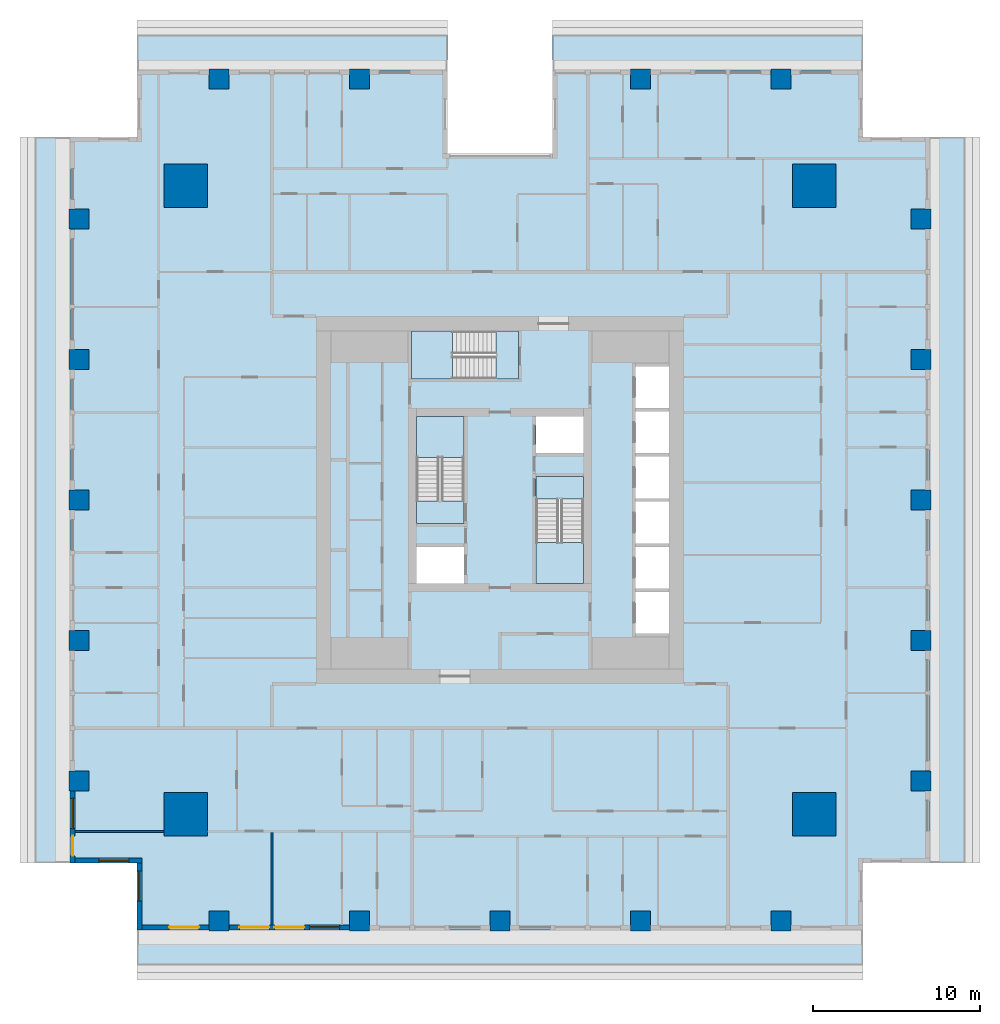
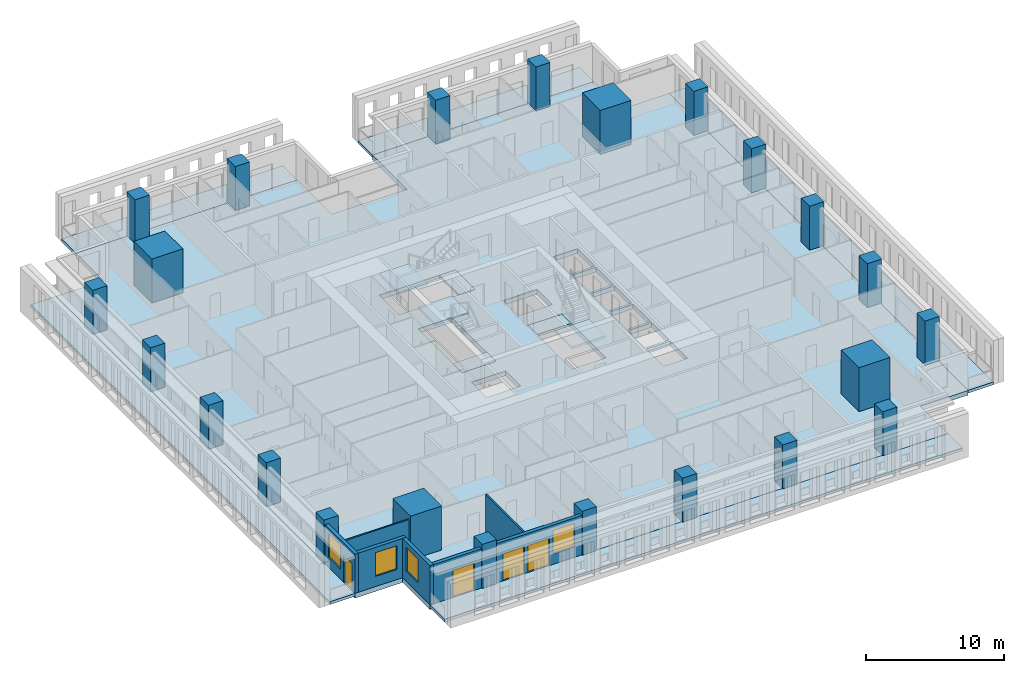
# One storey, part 1 of 16: 23 columns, 12 slabs, 7 walls, 4 doors, 4 windows, 8 openings, 3 elements without a shape of their own.
"""IFC4 building model written with IfcOpenShell, lengths in metres."""

from ifc_helpers import new_model, si_unit, direction, frame, frame_2d, origin, origin_2d, place, context, subcontext, project, spatial, polyline, rectangle, outline, extrude, material, layer, layer_set, material_profile, profile_set, type_object, element, fill, aggregate, save


model = new_model("IFC4")

# Units and contexts
model_context = context("Model", 3, precision=1e-05, world=origin(), true_north=direction((0.0, 1.0)))
body_context = subcontext(model_context, "Body", "Model", "MODEL_VIEW")
ifc_project = project(units=[si_unit("LENGTHUNIT", "METRE"), si_unit("AREAUNIT", "SQUARE_METRE"), si_unit("VOLUMEUNIT", "CUBIC_METRE"), si_unit("PLANEANGLEUNIT", "RADIAN"), si_unit("MASSUNIT", "GRAM", prefix="KILO")], contexts=[model_context])

# Site, building, storey
site_placement = place(None, origin())
site = spatial("IfcSite", under=ifc_project, at=site_placement, CompositionType="ELEMENT")
building_placement = place(site_placement, origin())
building = spatial("IfcBuilding", under=site, at=building_placement, Name="Khepri Terraces", CompositionType="ELEMENT")
storey_placement = place(building_placement, frame((0.0, 0.0, 137.699951171875)))
storey = spatial("IfcBuildingStorey", under=building, at=storey_placement, Name="L32", CompositionType="ELEMENT", Elevation=137.699951171875)

# Columns
ifc_material_1 = material(Name="Concrete C60/75", Category="concrete")
ifc_material_profile_1 = material_profile(ifc_material_1, rectangle(XDim=2.60009765625, YDim=2.60009765625, at=origin_2d()), Name="Concrete C60/75", Category="concrete")
ifc_profile_set_1 = profile_set([ifc_material_profile_1], Name="Concrete C60/75")
column_type_1 = type_object("IfcColumnType", Name="Mega column RC 2600x2600 C60/75", PredefinedType="COLUMN", material=ifc_profile_set_1)
for number, where, z_axis, x_axis, name in (
    (1, (18.800048828125, 18.800048828125, 0.0), (0.0, 0.0, 1.0), (1.0, 0.0, 0.0), "Mega column MEN L32"),
    (2, (18.800048828125, -18.800048828125, 0.0), (0.0, 0.0, 1.0), (1.0, 0.0, 0.0), "Mega column MES L32"),
    (3, (-18.800048828125, 18.800048828125, 0.0), (0.0, 0.0, 1.0), (1.0, 0.0, 0.0), "Mega column MWN L32"),
    (4, (-18.800048828125, -18.800048828125, 0.0), (0.0, 0.0, 1.0), (1.0, 0.0, 0.0), "Mega column MWS L32"),
):
    element("IfcColumn", number, at=place(storey_placement, frame(where, z_axis=z_axis, x_axis=x_axis)), inside=storey, type_object=column_type_1, Name=name, PredefinedType="COLUMN", context=body_context, shape_type="SweptSolid", body=[
        extrude(rectangle(XDim=2.60009765625, YDim=2.60009765625, at=origin_2d()), origin(), (0.0, 0.0, 1.0), 3.900146484375),
    ])
ifc_material_profile_2 = material_profile(ifc_material_1, rectangle(XDim=1.199951171875, YDim=1.199951171875, at=origin_2d()), Name="Concrete C60/75", Category="concrete")
ifc_profile_set_2 = profile_set([ifc_material_profile_2], Name="Concrete C60/75")
column_type_2 = type_object("IfcColumnType", Name="Tower column RC 1200x1200 C60/75", PredefinedType="COLUMN", material=ifc_profile_set_2)
for number, where, z_axis, x_axis, name in (
    (5, (25.199951171875, 0.0, 0.0), (0.0, 0.0, 1.0), (1.0, 0.0, 0.0), "Perimeter column PE+000a L32"),
    (6, (25.199951171875, 8.39990234375, 0.0), (0.0, 0.0, 1.0), (1.0, 0.0, 0.0), "Perimeter column PE+084a L32"),
    (7, (25.199951171875, 16.800048828125, 0.0), (0.0, 0.0, 1.0), (1.0, 0.0, 0.0), "Perimeter column PE+168a L32"),
    (8, (25.199951171875, -8.39990234375, 0.0), (0.0, 0.0, 1.0), (1.0, 0.0, 0.0), "Perimeter column PE-084a L32"),
    (9, (25.199951171875, -16.800048828125, 0.0), (0.0, 0.0, 1.0), (1.0, 0.0, 0.0), "Perimeter column PE-168a L32"),
    (10, (-8.39990234375, 25.199951171875, 0.0), (0.0, 0.0, 1.0), (1.0, 0.0, 0.0), "Perimeter column PN+084a L32"),
    (11, (-16.800048828125, 25.199951171875, 0.0), (0.0, 0.0, 1.0), (1.0, 0.0, 0.0), "Perimeter column PN+168a L32"),
    (12, (8.39990234375, 25.199951171875, 0.0), (0.0, 0.0, 1.0), (1.0, 0.0, 0.0), "Perimeter column PN-084a L32"),
    (13, (16.800048828125, 25.199951171875, 0.0), (0.0, 0.0, 1.0), (1.0, 0.0, 0.0), "Perimeter column PN-168a L32"),
    (14, (0.0, -25.199951171875, 0.0), (0.0, 0.0, 1.0), (1.0, 0.0, 0.0), "Perimeter column PS+000b L32"),
    (15, (8.39990234375, -25.199951171875, 0.0), (0.0, 0.0, 1.0), (1.0, 0.0, 0.0), "Perimeter column PS+084b L32"),
    (16, (16.800048828125, -25.199951171875, 0.0), (0.0, 0.0, 1.0), (1.0, 0.0, 0.0), "Perimeter column PS+168a L32"),
    (17, (-8.39990234375, -25.199951171875, 0.0), (0.0, 0.0, 1.0), (1.0, 0.0, 0.0), "Perimeter column PS-084b L32"),
    (18, (-16.800048828125, -25.199951171875, 0.0), (0.0, 0.0, 1.0), (1.0, 0.0, 0.0), "Perimeter column PS-168a L32"),
    (19, (-25.199951171875, 0.0, 0.0), (0.0, 0.0, 1.0), (1.0, 0.0, 0.0), "Perimeter column PW+000b L32"),
    (20, (-25.199951171875, -8.39990234375, 0.0), (0.0, 0.0, 1.0), (1.0, 0.0, 0.0), "Perimeter column PW+084b L32"),
    (21, (-25.199951171875, -16.800048828125, 0.0), (0.0, 0.0, 1.0), (1.0, 0.0, 0.0), "Perimeter column PW+168a L32"),
    (22, (-25.199951171875, 8.39990234375, 0.0), (0.0, 0.0, 1.0), (1.0, 0.0, 0.0), "Perimeter column PW-084b L32"),
    (23, (-25.199951171875, 16.800048828125, 0.0), (0.0, 0.0, 1.0), (1.0, 0.0, 0.0), "Perimeter column PW-168a L32"),
):
    element("IfcColumn", number, at=place(storey_placement, frame(where, z_axis=z_axis, x_axis=x_axis)), inside=storey, type_object=column_type_2, Name=name, PredefinedType="COLUMN", context=body_context, shape_type="SweptSolid", body=[
        extrude(rectangle(XDim=1.199951171875, YDim=1.199951171875, at=origin_2d()), origin(), (0.0, 0.0, 1.0), 3.900146484375),
    ])

# Slabs
ifc_material_2 = material(Name="Concrete C40/50", Category="concrete")
ifc_layer_1 = layer(ifc_material_2, 0.419921875, Name="Concrete C40/50", Category="concrete")
ifc_layer_set_1 = layer_set([ifc_layer_1], Name="Concrete C40/50")
slab_type_1 = type_object("IfcSlabType", Name="Flat plate 420", PredefinedType="FLOOR", material=ifc_layer_set_1)
slab_1_placement = place(storey_placement, frame((0.0, 0.0, -0.419921875)))
element("IfcSlab", 24, at=slab_1_placement, inside=storey, type_object=slab_type_1, Name="Floor slab F01 L32", PredefinedType="FLOOR", context=body_context, shape_type="SweptSolid", body=[
    extrude(outline(polyline([(3.14990234375, 25.719970703125), (21.719970703125, 25.719970703125), (21.719970703125, 21.719970703125), (25.719970703125, 21.719970703125), (25.719970703125, -21.719970703125), (21.719970703125, -21.719970703125), (21.719970703125, -25.719970703125), (-21.719970703125, -25.719970703125), (-21.719970703125, -21.719970703125), (-25.719970703125, -21.719970703125), (-25.719970703125, 21.719970703125), (-21.719970703125, 21.719970703125), (-21.719970703125, 25.719970703125), (-3.14990234375, 25.719970703125), (-3.14990234375, 20.719970703125), (3.14990234375, 20.719970703125), (3.14990234375, 25.719970703125)]), holes=[polyline([(2.14990234375, 2.800048828125), (5.0, 2.800048828125), (5.0, 5.0), (2.14990234375, 5.0), (2.14990234375, 2.800048828125)]), polyline([(-5.0, -2.800048828125), (-5.0, -5.0), (-2.14990234375, -5.0), (-2.14990234375, -2.800048828125), (-5.0, -2.800048828125)]), polyline([(10.10009765625, -5.5), (8.10009765625, -5.5), (8.10009765625, -8.0), (10.10009765625, -8.0), (10.10009765625, -5.5)]), polyline([(10.10009765625, -5.300048828125), (10.10009765625, -2.800048828125), (8.10009765625, -2.800048828125), (8.10009765625, -5.300048828125), (10.10009765625, -5.300048828125)]), polyline([(8.10009765625, -2.60009765625), (10.10009765625, -2.60009765625), (10.10009765625, -0.10009765625), (8.10009765625, -0.10009765625), (8.10009765625, -2.60009765625)]), polyline([(8.10009765625, 2.60009765625), (8.10009765625, 0.10009765625), (10.10009765625, 0.10009765625), (10.10009765625, 2.60009765625), (8.10009765625, 2.60009765625)]), polyline([(10.10009765625, 5.300048828125), (8.10009765625, 5.300048828125), (8.10009765625, 2.800048828125), (10.10009765625, 2.800048828125), (10.10009765625, 5.300048828125)]), polyline([(10.10009765625, 5.5), (10.10009765625, 8.0), (8.10009765625, 8.0), (8.10009765625, 5.5), (10.10009765625, 5.5)]), polyline([(-5.0, -1.39990234375), (-2.14990234375, -1.39990234375), (-2.14990234375, 5.0), (-5.0, 5.0), (-5.0, -1.39990234375)]), polyline([(5.0, -5.0), (5.0, 1.39990234375), (2.14990234375, 1.39990234375), (2.14990234375, -5.0), (5.0, -5.0)]), polyline([(-5.300048828125, 10.10009765625), (-5.300048828125, 7.25), (1.10009765625, 7.25), (1.10009765625, 10.10009765625), (-5.300048828125, 10.10009765625)])]), origin(), (0.0, 0.0, 1.0), 0.419921875),
])
ifc_material_3 = material(Name="Precast concrete C50/60 warm stone", Category="masonry")
ifc_layer_2 = layer(ifc_material_3, 0.25, Name="Precast concrete C50/60 warm stone", Category="masonry")
ifc_layer_set_2 = layer_set([ifc_layer_2], Name="Precast concrete C50/60 warm stone")
slab_type_2 = type_object("IfcSlabType", Name="SLB-BALCONY-250", PredefinedType="FLOOR", material=ifc_layer_set_2)
slab_2_placement = place(storey_placement, frame((0.0, 0.0, -0.25)))
element("IfcSlab", 25, at=slab_2_placement, inside=storey, type_object=slab_type_2, Name="Balcony slab L32 S", PredefinedType="FLOOR", context=body_context, shape_type="SweptSolid", body=[
    extrude(outline(polyline([(-17.39990234375, -25.719970703125), (-21.719970703125, -25.719970703125), (-21.719970703125, -27.820068359375), (21.719970703125, -27.820068359375), (21.719970703125, -25.719970703125), (17.39990234375, -25.719970703125), (17.39990234375, -25.800048828125), (16.199951171875, -25.800048828125), (16.199951171875, -25.719970703125), (9.0, -25.719970703125), (9.0, -25.800048828125), (7.800048828125, -25.800048828125), (7.800048828125, -25.719970703125), (0.60009765625, -25.719970703125), (0.60009765625, -25.800048828125), (-0.60009765625, -25.800048828125), (-0.60009765625, -25.719970703125), (-7.800048828125, -25.719970703125), (-7.800048828125, -25.800048828125), (-9.0, -25.800048828125), (-9.0, -25.719970703125), (-16.199951171875, -25.719970703125), (-16.199951171875, -25.800048828125), (-17.39990234375, -25.800048828125), (-17.39990234375, -25.719970703125)])), origin(), (0.0, 0.0, 1.0), 0.25),
])
slab_3_placement = place(storey_placement, frame((0.0, 0.0, -0.25)))
element("IfcSlab", 26, at=slab_3_placement, inside=storey, type_object=slab_type_2, Name="Balcony slab L32 E", PredefinedType="FLOOR", context=body_context, shape_type="SweptSolid", body=[
    extrude(outline(polyline([(25.719970703125, -17.39990234375), (25.719970703125, -21.719970703125), (27.820068359375, -21.719970703125), (27.820068359375, 21.719970703125), (25.719970703125, 21.719970703125), (25.719970703125, 17.39990234375), (25.800048828125, 17.39990234375), (25.800048828125, 16.199951171875), (25.719970703125, 16.199951171875), (25.719970703125, 9.0), (25.800048828125, 9.0), (25.800048828125, 7.800048828125), (25.719970703125, 7.800048828125), (25.719970703125, 0.60009765625), (25.800048828125, 0.60009765625), (25.800048828125, -0.60009765625), (25.719970703125, -0.60009765625), (25.719970703125, -7.800048828125), (25.800048828125, -7.800048828125), (25.800048828125, -9.0), (25.719970703125, -9.0), (25.719970703125, -16.199951171875), (25.800048828125, -16.199951171875), (25.800048828125, -17.39990234375), (25.719970703125, -17.39990234375)])), origin(), (0.0, 0.0, 1.0), 0.25),
])
slab_4_placement = place(storey_placement, frame((0.0, 0.0, -0.25)))
element("IfcSlab", 27, at=slab_4_placement, inside=storey, type_object=slab_type_2, Name="Balcony slab L32 N", PredefinedType="FLOOR", context=body_context, shape_type="SweptSolid", body=[
    extrude(outline(polyline([(17.39990234375, 25.719970703125), (21.719970703125, 25.719970703125), (21.719970703125, 27.820068359375), (3.14990234375, 27.820068359375), (3.14990234375, 25.719970703125), (7.800048828125, 25.719970703125), (7.800048828125, 25.800048828125), (9.0, 25.800048828125), (9.0, 25.719970703125), (16.199951171875, 25.719970703125), (16.199951171875, 25.800048828125), (17.39990234375, 25.800048828125), (17.39990234375, 25.719970703125)])), origin(), (0.0, 0.0, 1.0), 0.25),
])
slab_5_placement = place(storey_placement, frame((0.0, 0.0, -0.25)))
element("IfcSlab", 28, at=slab_5_placement, inside=storey, type_object=slab_type_2, Name="Balcony slab L32 N", PredefinedType="FLOOR", context=body_context, shape_type="SweptSolid", body=[
    extrude(outline(polyline([(-7.800048828125, 25.719970703125), (-3.14990234375, 25.719970703125), (-3.14990234375, 27.820068359375), (-21.719970703125, 27.820068359375), (-21.719970703125, 25.719970703125), (-17.39990234375, 25.719970703125), (-17.39990234375, 25.800048828125), (-16.199951171875, 25.800048828125), (-16.199951171875, 25.719970703125), (-9.0, 25.719970703125), (-9.0, 25.800048828125), (-7.800048828125, 25.800048828125), (-7.800048828125, 25.719970703125)])), origin(), (0.0, 0.0, 1.0), 0.25),
])
slab_6_placement = place(storey_placement, frame((0.0, 0.0, -0.25)))
element("IfcSlab", 29, at=slab_6_placement, inside=storey, type_object=slab_type_2, Name="Balcony slab L32 W", PredefinedType="FLOOR", context=body_context, shape_type="SweptSolid", body=[
    extrude(outline(polyline([(-25.719970703125, 17.39990234375), (-25.719970703125, 21.719970703125), (-27.820068359375, 21.719970703125), (-27.820068359375, -21.719970703125), (-25.719970703125, -21.719970703125), (-25.719970703125, -17.39990234375), (-25.800048828125, -17.39990234375), (-25.800048828125, -16.199951171875), (-25.719970703125, -16.199951171875), (-25.719970703125, -9.0), (-25.800048828125, -9.0), (-25.800048828125, -7.800048828125), (-25.719970703125, -7.800048828125), (-25.719970703125, -0.60009765625), (-25.800048828125, -0.60009765625), (-25.800048828125, 0.60009765625), (-25.719970703125, 0.60009765625), (-25.719970703125, 7.800048828125), (-25.800048828125, 7.800048828125), (-25.800048828125, 9.0), (-25.719970703125, 9.0), (-25.719970703125, 16.199951171875), (-25.800048828125, 16.199951171875), (-25.800048828125, 17.39990234375), (-25.719970703125, 17.39990234375)])), origin(), (0.0, 0.0, 1.0), 0.25),
])

# Stair, slabs
stair_type = type_object("IfcStairType", Name="STAIR-RC-22R", PredefinedType="HALF_TURN_STAIR", material=ifc_material_2)
stair_1_placement = place(storey_placement, origin())
stair_1 = element("IfcStair", 30, at=stair_1_placement, inside=storey, type_object=stair_type, Name="L32 Exit Stair ST-1", PredefinedType="HALF_TURN_STAIR")
ifc_layer_3 = layer(ifc_material_2, 0.199951171875, Name="Concrete C40/50", Category="concrete")
ifc_layer_set_3 = layer_set([ifc_layer_3], Name="Concrete C40/50")
slab_type_3 = type_object("IfcSlabType", Name="SLB-CORE-LANDING", PredefinedType="LANDING", material=ifc_layer_set_3)
slab_7_placement = place(storey_placement, frame((0.0, 0.0, -0.199951171875)))
slab_7 = element("IfcSlab", 31, at=slab_7_placement, type_object=slab_type_3, Name="ST-1 landing 1", PredefinedType="LANDING", context=body_context, shape_type="SweptSolid", body=[
    extrude(outline(polyline([(-2.14990234375, -1.39990234375), (-2.14990234375, -0.050048828125), (-5.0, -0.050048828125), (-5.0, -1.39990234375), (-2.14990234375, -1.39990234375)])), origin(), (0.0, 0.0, 1.0), 0.199951171875),
])
slab_8_placement = place(storey_placement, frame((0.0, 0.0, 1.75)))
slab_8 = element("IfcSlab", 32, at=slab_8_placement, type_object=slab_type_3, Name="ST-1 landing 2", PredefinedType="LANDING", context=body_context, shape_type="SweptSolid", body=[
    extrude(outline(polyline([(-2.14990234375, 2.550048828125), (-2.14990234375, 5.0), (-5.0, 5.0), (-5.0, 2.550048828125), (-2.14990234375, 2.550048828125)])), origin(), (0.0, 0.0, 1.0), 0.199951171875),
])
aggregate(stair_1, [slab_7, slab_8])

stair_2_placement = place(storey_placement, origin())
stair_2 = element("IfcStair", 33, at=stair_2_placement, inside=storey, type_object=stair_type, Name="L32 Exit Stair ST-2", PredefinedType="HALF_TURN_STAIR")
slab_9_placement = place(storey_placement, frame((0.0, 0.0, -0.199951171875)))
slab_9 = element("IfcSlab", 34, at=slab_9_placement, type_object=slab_type_3, Name="ST-2 landing 1", PredefinedType="LANDING", context=body_context, shape_type="SweptSolid", body=[
    extrude(outline(polyline([(2.14990234375, 1.39990234375), (2.14990234375, 0.050048828125), (5.0, 0.050048828125), (5.0, 1.39990234375), (2.14990234375, 1.39990234375)])), origin(), (0.0, 0.0, 1.0), 0.199951171875),
])
slab_10_placement = place(storey_placement, frame((0.0, 0.0, 1.75)))
slab_10 = element("IfcSlab", 35, at=slab_10_placement, type_object=slab_type_3, Name="ST-2 landing 2", PredefinedType="LANDING", context=body_context, shape_type="SweptSolid", body=[
    extrude(outline(polyline([(2.14990234375, -2.550048828125), (2.14990234375, -5.0), (5.0, -5.0), (5.0, -2.550048828125), (2.14990234375, -2.550048828125)])), origin(), (0.0, 0.0, 1.0), 0.199951171875),
])
aggregate(stair_2, [slab_9, slab_10])

stair_3_placement = place(storey_placement, origin())
stair_3 = element("IfcStair", 36, at=stair_3_placement, inside=storey, type_object=stair_type, Name="L32 Exit Stair ST-3", PredefinedType="HALF_TURN_STAIR")
slab_11_placement = place(storey_placement, frame((0.0, 0.0, -0.199951171875)))
slab_11 = element("IfcSlab", 37, at=slab_11_placement, type_object=slab_type_3, Name="ST-3 landing 1", PredefinedType="LANDING", context=body_context, shape_type="SweptSolid", body=[
    extrude(outline(polyline([(1.10009765625, 10.10009765625), (-0.25, 10.10009765625), (-0.25, 7.25), (1.10009765625, 7.25), (1.10009765625, 10.10009765625)])), origin(), (0.0, 0.0, 1.0), 0.199951171875),
])
slab_12_placement = place(storey_placement, frame((0.0, 0.0, 1.75)))
slab_12 = element("IfcSlab", 38, at=slab_12_placement, type_object=slab_type_3, Name="ST-3 landing 2", PredefinedType="LANDING", context=body_context, shape_type="SweptSolid", body=[
    extrude(outline(polyline([(-2.85009765625, 10.10009765625), (-5.300048828125, 10.10009765625), (-5.300048828125, 7.25), (-2.85009765625, 7.25), (-2.85009765625, 10.10009765625)])), origin(), (0.0, 0.0, 1.0), 0.199951171875),
])
aggregate(stair_3, [slab_11, slab_12])

# Wall, openings, door, window
ifc_layer_4 = layer(ifc_material_3, 0.300048828125, Name="Precast concrete C50/60 warm stone", Category="masonry")
ifc_layer_set_4 = layer_set([ifc_layer_4], Name="Precast concrete C50/60 warm stone")
wall_type_1 = type_object("IfcWallType", Name="WL-EXT-PRECAST-300", PredefinedType="STANDARD", material=ifc_layer_set_4)
wall_1_placement = place(storey_placement, frame((-25.570068359375, -17.39990234375, 0.0), z_axis=(0.0, 0.0, 1.0), x_axis=(0.0, -1.0, 0.0)))
wall_1 = element("IfcWall", 39, at=wall_1_placement, inside=storey, type_object=wall_type_1, Name="External wall L32 W", PredefinedType="STANDARD", context=body_context, shape_type="SweptSolid", body=[
    extrude(rectangle(XDim=4.320068359375, YDim=0.300048828125, at=frame_2d((2.16015625, 0.0))), origin(), (0.0, 0.0, 1.0), 3.47998046875),
])
opening_1_placement = place(wall_1_placement, frame((2.695068359375, 0.0, 0.0)))
opening_1 = element("IfcOpeningElement", 40, at=opening_1_placement, cuts=wall_1, Name="Opening ED-L32-17", PredefinedType="OPENING", context=body_context, shape_type="SweptSolid", body=[
    extrude(rectangle(XDim=1.199951171875, YDim=2.39990234375, at=frame_2d((0.60009765625, 1.199951171875))), frame((0.0, 0.16015625, 0.0), z_axis=(0.0, -1.0, 0.0), x_axis=(1.0, 0.0, 0.0)), (0.0, 0.0, 1.0), 0.320068359375),
])
opening_2_placement = place(wall_1_placement, frame((0.4599609375, 0.0, 0.89990234375)))
opening_2 = element("IfcOpeningElement", 41, at=opening_2_placement, cuts=wall_1, Name="Opening W1", PredefinedType="OPENING", context=body_context, shape_type="SweptSolid", body=[
    extrude(rectangle(XDim=1.800048828125, YDim=2.10009765625, at=frame_2d((0.89990234375, 1.050048828125))), frame((0.0, 0.16015625, 0.0), z_axis=(0.0, -1.0, 0.0), x_axis=(1.0, 0.0, 0.0)), (0.0, 0.0, 1.0), 0.320068359375),
])
ifc_material_4 = material(Name="Anodised aluminium bronze glazed door", Category="aluminium")
door_type_1 = type_object("IfcDoorType", Name="DR-BAL-SLIDE-1200x2400", OperationType="NOTDEFINED", PredefinedType="DOOR", material=ifc_material_4)
door_1_placement = place(opening_1_placement, origin())
door_1 = element("IfcDoor", 42, at=door_1_placement, inside=storey, type_object=door_type_1, Name="Balcony door L32 W", OperationType="SLIDING_TO_LEFT", OverallHeight=2.39990234375, OverallWidth=1.199951171875, PredefinedType="DOOR", context=body_context, shape_type="SweptSolid", body=[
    extrude(rectangle(XDim=1.199951171875, YDim=2.39990234375, at=frame_2d((0.60009765625, 1.199951171875))), frame((0.0, 0.02490234375, 0.0), z_axis=(0.0, -1.0, 0.0), x_axis=(1.0, 0.0, 0.0)), (0.0, 0.0, 1.0), 0.050048828125),
])
fill(opening_1, door_1)
ifc_material_5 = material(Name="Clear glass", Category="glass")
window_type = type_object("IfcWindowType", Name="WIN-RES-1800x2100", PartitioningType="SINGLE_PANEL", PredefinedType="WINDOW", material=ifc_material_5)
window_1_placement = place(opening_2_placement, origin())
window_1 = element("IfcWindow", 43, at=window_1_placement, inside=storey, type_object=window_type, Name="Window L32 W", OverallHeight=2.10009765625, OverallWidth=1.800048828125, PartitioningType="SINGLE_PANEL", PredefinedType="WINDOW", context=body_context, shape_type="SweptSolid", body=[
    extrude(rectangle(XDim=1.800048828125, YDim=2.10009765625, at=frame_2d((0.89990234375, 1.050048828125))), frame((0.0, 0.030029296875, 0.0), z_axis=(0.0, -1.0, 0.0), x_axis=(1.0, 0.0, 0.0)), (0.0, 0.0, 1.0), 0.06005859375),
])
fill(opening_2, window_1)

# Wall, opening, window
wall_2_placement = place(storey_placement, frame((-25.419921875, -21.570068359375, 0.0), z_axis=(0.0, 0.0, 1.0), x_axis=(1.0, 0.0, 0.0)))
wall_2 = element("IfcWall", 44, at=wall_2_placement, inside=storey, type_object=wall_type_1, Name="External wall L32 S", PredefinedType="STANDARD", context=body_context, shape_type="SweptSolid", body=[
    extrude(rectangle(XDim=4.0, YDim=0.300048828125, at=frame_2d((2.0, 0.0))), origin(), (0.0, 0.0, 1.0), 3.47998046875),
])
opening_3_placement = place(wall_2_placement, frame((1.419921875, 0.0, 0.89990234375)))
opening_3 = element("IfcOpeningElement", 45, at=opening_3_placement, cuts=wall_2, Name="Opening W1", PredefinedType="OPENING", context=body_context, shape_type="SweptSolid", body=[
    extrude(rectangle(XDim=1.800048828125, YDim=2.10009765625, at=frame_2d((0.89990234375, 1.050048828125))), frame((0.0, 0.16015625, 0.0), z_axis=(0.0, -1.0, 0.0), x_axis=(1.0, 0.0, 0.0)), (0.0, 0.0, 1.0), 0.320068359375),
])
window_2_placement = place(opening_3_placement, origin())
window_2 = element("IfcWindow", 46, at=window_2_placement, inside=storey, type_object=window_type, Name="Window L32 S", OverallHeight=2.10009765625, OverallWidth=1.800048828125, PartitioningType="SINGLE_PANEL", PredefinedType="WINDOW", context=body_context, shape_type="SweptSolid", body=[
    extrude(rectangle(XDim=1.800048828125, YDim=2.10009765625, at=frame_2d((0.89990234375, 1.050048828125))), frame((0.0, 0.030029296875, 0.0), z_axis=(0.0, -1.0, 0.0), x_axis=(1.0, 0.0, 0.0)), (0.0, 0.0, 1.0), 0.06005859375),
])
fill(opening_3, window_2)

wall_3_placement = place(storey_placement, frame((-21.570068359375, -21.719970703125, 0.0), z_axis=(0.0, 0.0, 1.0), x_axis=(0.0, -1.0, 0.0)))
wall_3 = element("IfcWall", 47, at=wall_3_placement, inside=storey, type_object=wall_type_1, Name="External wall L32 W", PredefinedType="STANDARD", context=body_context, shape_type="SweptSolid", body=[
    extrude(rectangle(XDim=4.0, YDim=0.300048828125, at=frame_2d((2.0, 0.0))), origin(), (0.0, 0.0, 1.0), 3.47998046875),
])
opening_4_placement = place(wall_3_placement, frame((0.47998046875, 0.0, 0.89990234375)))
opening_4 = element("IfcOpeningElement", 48, at=opening_4_placement, cuts=wall_3, Name="Opening W1", PredefinedType="OPENING", context=body_context, shape_type="SweptSolid", body=[
    extrude(rectangle(XDim=1.800048828125, YDim=2.10009765625, at=frame_2d((0.89990234375, 1.050048828125))), frame((0.0, 0.16015625, 0.0), z_axis=(0.0, -1.0, 0.0), x_axis=(1.0, 0.0, 0.0)), (0.0, 0.0, 1.0), 0.320068359375),
])
window_3_placement = place(opening_4_placement, origin())
window_3 = element("IfcWindow", 49, at=window_3_placement, inside=storey, type_object=window_type, Name="Window L32 W", OverallHeight=2.10009765625, OverallWidth=1.800048828125, PartitioningType="SINGLE_PANEL", PredefinedType="WINDOW", context=body_context, shape_type="SweptSolid", body=[
    extrude(rectangle(XDim=1.800048828125, YDim=2.10009765625, at=frame_2d((0.89990234375, 1.050048828125))), frame((0.0, 0.030029296875, 0.0), z_axis=(0.0, -1.0, 0.0), x_axis=(1.0, 0.0, 0.0)), (0.0, 0.0, 1.0), 0.06005859375),
])
fill(opening_4, window_3)

# Wall, opening, door
wall_4_placement = place(storey_placement, frame((-21.419921875, -25.570068359375, 0.0), z_axis=(0.0, 0.0, 1.0), x_axis=(1.0, 0.0, 0.0)))
wall_4 = element("IfcWall", 50, at=wall_4_placement, inside=storey, type_object=wall_type_1, Name="External wall L32 S", PredefinedType="STANDARD", context=body_context, shape_type="SweptSolid", body=[
    extrude(rectangle(XDim=4.02001953125, YDim=0.300048828125, at=frame_2d((2.010009765625, 0.0))), origin(), (0.0, 0.0, 1.0), 3.47998046875),
])
opening_5_placement = place(wall_4_placement, frame((1.6201171875, 0.0, 0.0)))
opening_5 = element("IfcOpeningElement", 51, at=opening_5_placement, cuts=wall_4, Name="Opening ED-L32-18", PredefinedType="OPENING", context=body_context, shape_type="SweptSolid", body=[
    extrude(rectangle(XDim=1.800048828125, YDim=2.39990234375, at=frame_2d((0.89990234375, 1.199951171875))), frame((0.0, 0.16015625, 0.0), z_axis=(0.0, -1.0, 0.0), x_axis=(1.0, 0.0, 0.0)), (0.0, 0.0, 1.0), 0.320068359375),
])
door_type_2 = type_object("IfcDoorType", Name="DR-BAL-SLIDE-1800x2400", OperationType="NOTDEFINED", PredefinedType="DOOR", material=ifc_material_4)
door_2_placement = place(opening_5_placement, origin())
door_2 = element("IfcDoor", 52, at=door_2_placement, inside=storey, type_object=door_type_2, Name="Balcony door L32 S", OperationType="SLIDING_TO_RIGHT", OverallHeight=2.39990234375, OverallWidth=1.800048828125, PredefinedType="DOOR", context=body_context, shape_type="SweptSolid", body=[
    extrude(rectangle(XDim=1.800048828125, YDim=2.39990234375, at=frame_2d((0.89990234375, 1.199951171875))), frame((0.0, 0.02490234375, 0.0), z_axis=(0.0, -1.0, 0.0), x_axis=(1.0, 0.0, 0.0)), (0.0, 0.0, 1.0), 0.050048828125),
])
fill(opening_5, door_2)

# Wall, openings, doors, window
wall_5_placement = place(storey_placement, frame((-16.199951171875, -25.570068359375, 0.0), z_axis=(0.0, 0.0, 1.0), x_axis=(1.0, 0.0, 0.0)))
wall_5 = element("IfcWall", 53, at=wall_5_placement, inside=storey, type_object=wall_type_1, Name="External wall L32 S", PredefinedType="STANDARD", context=body_context, shape_type="SweptSolid", body=[
    extrude(rectangle(XDim=7.199951171875, YDim=0.300048828125, at=frame_2d((3.60009765625, 0.0))), origin(), (0.0, 0.0, 1.0), 3.47998046875),
])
opening_6_placement = place(wall_5_placement, frame((0.60009765625, 0.0, 0.0)))
opening_6 = element("IfcOpeningElement", 54, at=opening_6_placement, cuts=wall_5, Name="Opening ED-L32-19", PredefinedType="OPENING", context=body_context, shape_type="SweptSolid", body=[
    extrude(rectangle(XDim=1.800048828125, YDim=2.39990234375, at=frame_2d((0.89990234375, 1.199951171875))), frame((0.0, 0.16015625, 0.0), z_axis=(0.0, -1.0, 0.0), x_axis=(1.0, 0.0, 0.0)), (0.0, 0.0, 1.0), 0.320068359375),
])
opening_7_placement = place(wall_5_placement, frame((2.699951171875, 0.0, 0.0)))
opening_7 = element("IfcOpeningElement", 55, at=opening_7_placement, cuts=wall_5, Name="Opening ED-L32-20", PredefinedType="OPENING", context=body_context, shape_type="SweptSolid", body=[
    extrude(rectangle(XDim=1.800048828125, YDim=2.39990234375, at=frame_2d((0.89990234375, 1.199951171875))), frame((0.0, 0.16015625, 0.0), z_axis=(0.0, -1.0, 0.0), x_axis=(1.0, 0.0, 0.0)), (0.0, 0.0, 1.0), 0.320068359375),
])
opening_8_placement = place(wall_5_placement, frame((4.800048828125, 0.0, 0.89990234375)))
opening_8 = element("IfcOpeningElement", 56, at=opening_8_placement, cuts=wall_5, Name="Opening W1", PredefinedType="OPENING", context=body_context, shape_type="SweptSolid", body=[
    extrude(rectangle(XDim=1.800048828125, YDim=2.10009765625, at=frame_2d((0.89990234375, 1.050048828125))), frame((0.0, 0.16015625, 0.0), z_axis=(0.0, -1.0, 0.0), x_axis=(1.0, 0.0, 0.0)), (0.0, 0.0, 1.0), 0.320068359375),
])
door_3_placement = place(opening_6_placement, origin())
door_3 = element("IfcDoor", 57, at=door_3_placement, inside=storey, type_object=door_type_2, Name="Balcony door L32 S", OperationType="SLIDING_TO_LEFT", OverallHeight=2.39990234375, OverallWidth=1.800048828125, PredefinedType="DOOR", context=body_context, shape_type="SweptSolid", body=[
    extrude(rectangle(XDim=1.800048828125, YDim=2.39990234375, at=frame_2d((0.89990234375, 1.199951171875))), frame((0.0, 0.02490234375, 0.0), z_axis=(0.0, -1.0, 0.0), x_axis=(1.0, 0.0, 0.0)), (0.0, 0.0, 1.0), 0.050048828125),
])
fill(opening_6, door_3)
door_4_placement = place(opening_7_placement, origin())
door_4 = element("IfcDoor", 58, at=door_4_placement, inside=storey, type_object=door_type_2, Name="Balcony door L32 S", OperationType="SLIDING_TO_RIGHT", OverallHeight=2.39990234375, OverallWidth=1.800048828125, PredefinedType="DOOR", context=body_context, shape_type="SweptSolid", body=[
    extrude(rectangle(XDim=1.800048828125, YDim=2.39990234375, at=frame_2d((0.89990234375, 1.199951171875))), frame((0.0, 0.02490234375, 0.0), z_axis=(0.0, -1.0, 0.0), x_axis=(1.0, 0.0, 0.0)), (0.0, 0.0, 1.0), 0.050048828125),
])
fill(opening_7, door_4)
window_4_placement = place(opening_8_placement, origin())
window_4 = element("IfcWindow", 59, at=window_4_placement, inside=storey, type_object=window_type, Name="Window L32 S", OverallHeight=2.10009765625, OverallWidth=1.800048828125, PartitioningType="SINGLE_PANEL", PredefinedType="WINDOW", context=body_context, shape_type="SweptSolid", body=[
    extrude(rectangle(XDim=1.800048828125, YDim=2.10009765625, at=frame_2d((0.89990234375, 1.050048828125))), frame((0.0, 0.030029296875, 0.0), z_axis=(0.0, -1.0, 0.0), x_axis=(1.0, 0.0, 0.0)), (0.0, 0.0, 1.0), 0.06005859375),
])
fill(opening_8, window_4)

# Walls
ifc_material_6 = material(Name="Gypsum plasterboard partition")
ifc_layer_5 = layer(ifc_material_6, 0.1201171875, Name="Gypsum plasterboard partition")
ifc_layer_set_5 = layer_set([ifc_layer_5], Name="Gypsum plasterboard partition")
wall_type_2 = type_object("IfcWallType", Name="WL-PART-120", PredefinedType="PARTITIONING", material=ifc_layer_set_5)
wall_6_placement = place(storey_placement, frame((-13.64990234375, -25.419921875, 0.0), z_axis=(0.0, 0.0, 1.0), x_axis=(0.0, 1.0, 0.0)))
element("IfcWall", 60, at=wall_6_placement, inside=storey, type_object=wall_type_2, Name="Partition P-001 L32", PredefinedType="PARTITIONING", context=body_context, shape_type="SweptSolid", body=[
    extrude(rectangle(XDim=5.5400390625, YDim=0.1201171875, at=frame_2d((2.77001953125, 0.0))), origin(), (0.0, 0.0, 1.0), 3.47998046875),
])
wall_7_placement = place(storey_placement, frame((-25.419921875, -19.820068359375, 0.0), z_axis=(0.0, 0.0, 1.0), x_axis=(1.0, 0.0, 0.0)))
element("IfcWall", 61, at=wall_7_placement, inside=storey, type_object=wall_type_2, Name="Partition P-012 L32", PredefinedType="PARTITIONING", context=body_context, shape_type="SweptSolid", body=[
    extrude(rectangle(XDim=5.31982421875, YDim=0.1201171875, at=frame_2d((2.659912109375, 0.0))), origin(), (0.0, 0.0, 1.0), 3.47998046875),
])

save(model, "model.ifc")
